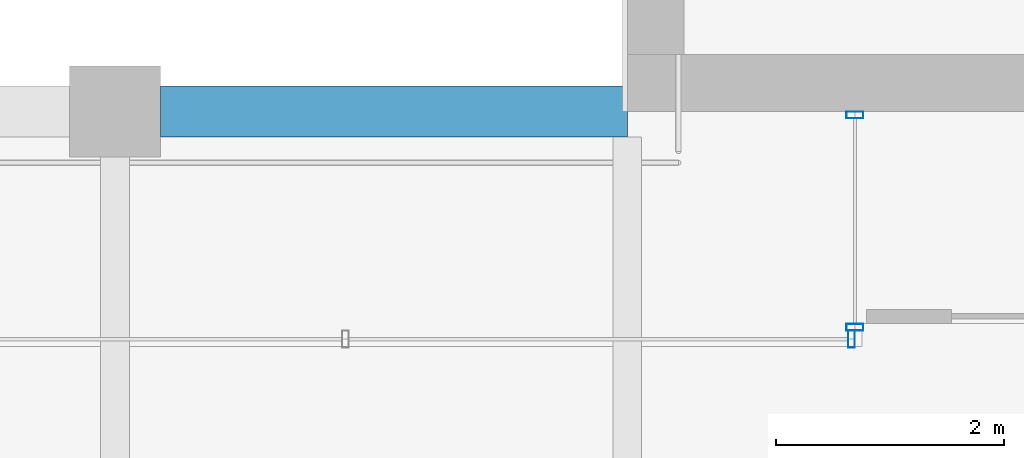
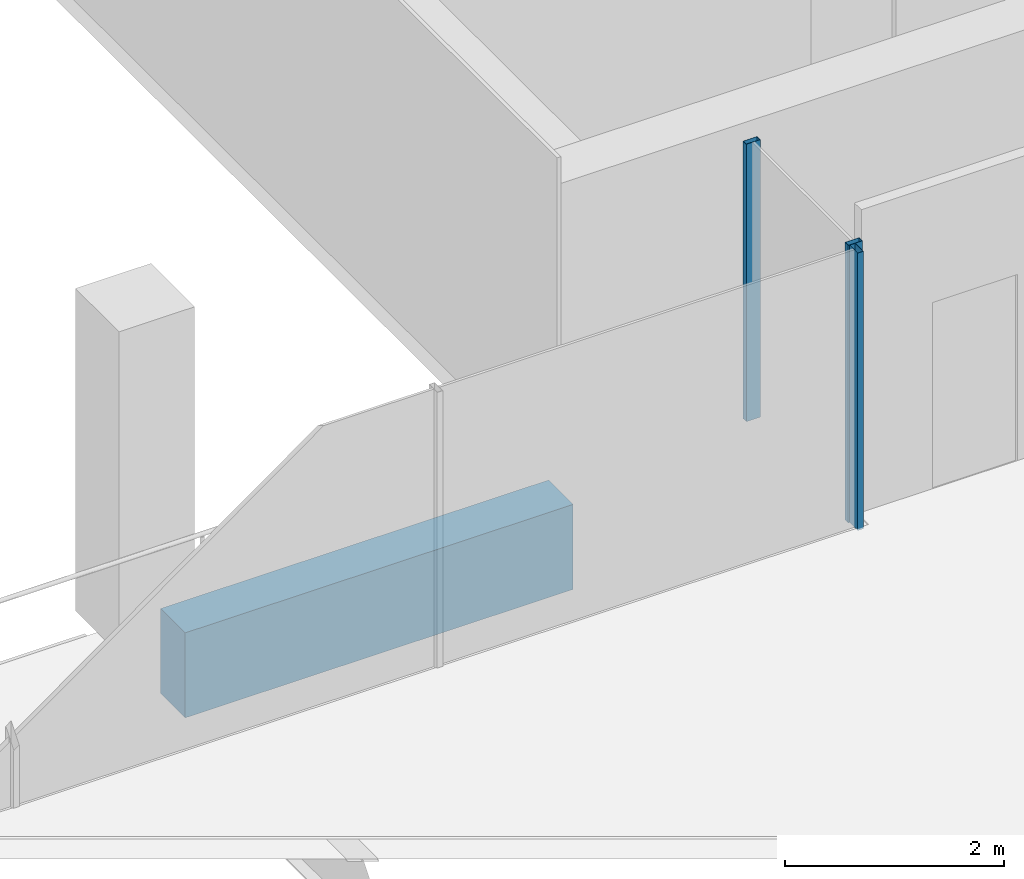
# One storey, part 6 of 30: 3 members, 1 beam, 2 elements without a shape of their own.
"""IFC4 building model written with IfcOpenShell, lengths in metres."""

import ifcopenshell
import ifcopenshell.guid

model = None  # the IFC model being written
_history = None  # IfcOwnerHistory: only IFC2X3 demands one
_inside = {}  # id of a spatial element -> (the spatial element, [elements in it])
_under = {}  # id of a project, library or spatial element -> (it, [spatial elements below it])
_declared = {}  # id of a project -> (the project, [libraries it declares])
_typed = {}  # id of a type object -> (the type object, [elements of that type])
_made_of = {}  # id of a material, layer set ... -> (it, [elements and type objects made of it])


def new_model(schema):
    """Start an empty IFC model of exactly this schema.

    Asked for "IFC4X3", IfcOpenShell would pick the latest addendum, in which some entities
    have other attributes; the version numbers below select the first issue.
    IFC2X3 requires an IfcOwnerHistory on every rooted entity: one is made here for all.
    """
    global model, _history
    if schema == "IFC4X3":
        model = ifcopenshell.file(schema_version=(4, 3, 0, 0))
    else:
        model = ifcopenshell.file(schema=schema)
    _inside.clear()
    _under.clear()
    _declared.clear()
    _typed.clear()
    _made_of.clear()
    _history = None
    if model.schema == "IFC2X3":
        org = make("IfcOrganization", Name="unknown")
        user = make(
            "IfcPersonAndOrganization",
            ThePerson=make("IfcPerson", FamilyName="unknown"),
            TheOrganization=org,
        )
        app = make(
            "IfcApplication",
            ApplicationDeveloper=org,
            Version="unknown",
            ApplicationFullName="unknown",
            ApplicationIdentifier="unknown",
        )
        _history = make(
            "IfcOwnerHistory",
            OwningUser=user,
            OwningApplication=app,
            ChangeAction="ADDED",
            CreationDate=0,
        )
    return model


def make(cls, **values):
    """One entity of the class cls with the attributes given. An attribute that is None is left unset."""
    return model.create_entity(
        cls, **{name: value for name, value in values.items() if value is not None}
    )


def rooted(cls, **values):
    """An entity with a GlobalId (a new one), such as an element, a storey or a relation."""
    return make(cls, GlobalId=ifcopenshell.guid.new(), OwnerHistory=_history, **values)


def si_unit(unit_type, name, prefix=None):
    """IfcSIUnit, for example si_unit("LENGTHUNIT", "METRE", prefix="MILLI")."""
    return make("IfcSIUnit", UnitType=unit_type, Prefix=prefix, Name=name)


def assignment(units):
    """IfcUnitAssignment: the units of a project."""
    return None if units is None else make("IfcUnitAssignment", Units=units)


def point(xyz):
    """IfcCartesianPoint."""
    return None if xyz is None else make("IfcCartesianPoint", Coordinates=xyz)


def direction(xyz):
    """IfcDirection."""
    return None if xyz is None else make("IfcDirection", DirectionRatios=xyz)


def frame(location, z_axis=None, x_axis=None):
    """IfcAxis2Placement3D, a coordinate frame: its origin and axes. An axis left out is left unset."""
    return make(
        "IfcAxis2Placement3D",
        Location=point(location),
        Axis=direction(z_axis),
        RefDirection=direction(x_axis),
    )


def frame_2d(location, x_axis=None):
    """IfcAxis2Placement2D, a coordinate frame in the plane: its origin and x axis."""
    return make(
        "IfcAxis2Placement2D", Location=point(location), RefDirection=direction(x_axis)
    )


def origin():
    """The frame at (0, 0, 0) with its axes left unset."""
    return frame((0.0, 0.0, 0.0))


def origin_2d():
    """The frame at (0, 0) in the plane with its x axis left unset."""
    return frame_2d((0.0, 0.0))


def place(relative_to, where):
    """IfcLocalPlacement: puts the frame where relative to a parent placement (None: the world)."""
    return make(
        "IfcLocalPlacement", PlacementRelTo=relative_to, RelativePlacement=where
    )


def context(
    kind, dimensions, precision=None, world=None, true_north=None, identifier=None
):
    """IfcGeometricRepresentationContext, for example the 3D "Model" context."""
    return make(
        "IfcGeometricRepresentationContext",
        ContextIdentifier=identifier,
        ContextType=kind,
        CoordinateSpaceDimension=dimensions,
        Precision=precision,
        WorldCoordinateSystem=world,
        TrueNorth=true_north,
    )


def subcontext(parent, identifier, kind, view, scale=None):
    """IfcGeometricRepresentationSubContext, for example "Body" below "Model"."""
    return make(
        "IfcGeometricRepresentationSubContext",
        ContextIdentifier=identifier,
        ContextType=kind,
        ParentContext=parent,
        TargetScale=scale,
        TargetView=view,
    )


def project(units=None, contexts=None):
    """IfcProject with its units and contexts."""
    return rooted(
        "IfcProject",
        Name="project",
        RepresentationContexts=contexts,
        UnitsInContext=assignment(units),
    )


def spatial(cls, under=None, at=None, **own):
    """A site, building, storey or space (cls), placed at a placement, below another one or the project."""
    s = rooted(cls, ObjectPlacement=at, **own)
    if under is not None:
        _under.setdefault(under.id(), (under, []))[1].append(s)
    return s


def profile(cls, at=None, kind="AREA", **sizes):
    """A parametric profile (cls). Its sizes go by their IFC names, for example OverallWidth=200.0."""
    return make(cls, ProfileType=kind, Position=at, **sizes)


def rectangle(**sizes):
    """IfcRectangleProfileDef."""
    return profile("IfcRectangleProfileDef", **sizes)


def hollow_rectangle(**sizes):
    """IfcRectangleHollowProfileDef."""
    return profile("IfcRectangleHollowProfileDef", **sizes)


def extrude(swept, where, along, depth):
    """IfcExtrudedAreaSolid: the profile swept, set in the frame where, extruded along a direction by depth."""
    return make(
        "IfcExtrudedAreaSolid",
        SweptArea=swept,
        Position=where,
        ExtrudedDirection=direction(along),
        Depth=depth,
    )


def shape(context_of_items, identifier, shape_type, items):
    """IfcShapeRepresentation: the items that make up one representation, for example the "Body"."""
    return make(
        "IfcShapeRepresentation",
        ContextOfItems=context_of_items,
        RepresentationIdentifier=identifier,
        RepresentationType=shape_type,
        Items=items,
    )


def material(Name=None, Category=None):
    """IfcMaterial."""
    return make("IfcMaterial", Name=Name, Category=Category)


def material_profile(
    of_material, cross_section, Name=None, Category=None, Priority=None
):
    """IfcMaterialProfile: a cross section and its material."""
    return make(
        "IfcMaterialProfile",
        Name=Name,
        Material=of_material,
        Profile=cross_section,
        Priority=Priority,
        Category=Category,
    )


def profile_set(profiles, Name=None, composite=None):
    """IfcMaterialProfileSet."""
    return make(
        "IfcMaterialProfileSet",
        Name=Name,
        MaterialProfiles=profiles,
        CompositeProfile=composite,
    )


def made_of(thing, what):
    """Note that an element or type object is made of a material, layer set ...; save() writes the relation."""
    if what is not None:
        _made_of.setdefault(what.id(), (what, []))[1].append(thing)
    return thing


def type_object(cls, material=None, **own):
    """A type object (cls), such as IfcWallType, which elements share."""
    return made_of(rooted(cls, **own), material)


def element(
    cls,
    number,
    at=None,
    inside=None,
    cuts=None,
    type_object=None,
    material=None,
    context=None,
    identifier="Body",
    shape_type=None,
    held_by="IfcProductDefinitionShape",
    body=None,
    shapes=None,
    **own,
):
    """One element of the class cls, such as IfcWall. Its Tag is "e" and its number.

    at: its placement. inside: the storey or other place that contains it. cuts: it is an
    opening in that element (IfcRelVoidsElement). A single representation is given by context,
    identifier, shape_type and body (its items); several are given by shapes. held_by: the class
    of the entity that holds the representations. save() writes the other relations.
    """
    e = rooted(cls, Tag="e%d" % number, ObjectPlacement=at, **own)
    if body is not None:
        shapes = [shape(context, identifier, shape_type, body)]
    if shapes is not None:
        e.Representation = make(held_by, Representations=shapes)
    if inside is not None:
        _inside.setdefault(inside.id(), (inside, []))[1].append(e)
    if cuts is not None:
        rooted(
            "IfcRelVoidsElement", RelatingBuildingElement=cuts, RelatedOpeningElement=e
        )
    if type_object is not None:
        _typed.setdefault(type_object.id(), (type_object, []))[1].append(e)
    return made_of(e, material)


def aggregate(whole, parts):
    """IfcRelAggregates: a whole, such as a stair, and the parts it consists of."""
    return rooted("IfcRelAggregates", RelatingObject=whole, RelatedObjects=parts)


def save(model, path):
    """Write the relations noted so far, then the file.

    IfcRelAggregates (storeys below a building ...), IfcRelContainedInSpatialStructure (elements
    in a storey), IfcRelDefinesByType, IfcRelAssociatesMaterial and IfcRelDeclares: one each for
    every whole, place, type object, material and project.
    """
    for whole, parts in _under.values():
        aggregate(whole, parts)
    for where, things in _inside.values():
        rooted(
            "IfcRelContainedInSpatialStructure",
            RelatedElements=things,
            RelatingStructure=where,
        )
    for kind, things in _typed.values():
        rooted("IfcRelDefinesByType", RelatedObjects=things, RelatingType=kind)
    for what, things in _made_of.values():
        rooted("IfcRelAssociatesMaterial", RelatedObjects=things, RelatingMaterial=what)
    for by, libraries in _declared.values():
        rooted("IfcRelDeclares", RelatingContext=by, RelatedDefinitions=libraries)
    model.write(path)


model = new_model("IFC4")

# Units and contexts
model_context = context("Model", 3, precision=1e-05, world=origin(), true_north=direction((0.0, 1.0)))
body_context = subcontext(model_context, "Body", "Model", "MODEL_VIEW")
ifc_project = project(units=[si_unit("LENGTHUNIT", "METRE"), si_unit("AREAUNIT", "SQUARE_METRE"), si_unit("VOLUMEUNIT", "CUBIC_METRE"), si_unit("PLANEANGLEUNIT", "RADIAN"), si_unit("MASSUNIT", "GRAM", prefix="KILO")], contexts=[model_context])

# Site, building, storey
site_placement = place(None, origin())
site = spatial("IfcSite", under=ifc_project, at=site_placement, CompositionType="ELEMENT")
building_placement = place(site_placement, origin())
building = spatial("IfcBuilding", under=site, at=building_placement, Name="Altepetl Exchange Towers", CompositionType="ELEMENT")
storey_placement = place(building_placement, frame((0.0, 0.0, 242.39990234375)))
storey = spatial("IfcBuildingStorey", under=building, at=storey_placement, Name="L62", CompositionType="ELEMENT", Elevation=242.39990234375)

# Curtain wall, members
ifc_material_1 = material(Name="Aluminium 6063-T6 glazing", Category="aluminium")
curtain_wall_type = type_object("IfcCurtainWallType", Name="Loggia glazing system", PredefinedType="NOTDEFINED", material=ifc_material_1)
curtain_wall_1_placement = place(storey_placement, origin())
curtain_wall_1 = element("IfcCurtainWall", 1, at=curtain_wall_1_placement, inside=storey, type_object=curtain_wall_type, Name="CW1 run", PredefinedType="NOTDEFINED")
ifc_material_2 = material(Name="Aluminium 6063-T6", Category="aluminium")
ifc_material_profile_1 = material_profile(ifc_material_2, hollow_rectangle(XDim=0.06005859375, YDim=0.14990234375, WallThickness=0.0029296875, at=origin_2d()), Name="Mullion 60x150 aluminium")
ifc_profile_set_1 = profile_set([ifc_material_profile_1], Name="Aluminium 6063-T6")
member_type = type_object("IfcMemberType", Name="Mullion 60x150 aluminium", PredefinedType="MULLION", material=ifc_profile_set_1)
member_1_placement = place(storey_placement, frame((42.5, 40.469970703125, 0.0), z_axis=(0.0, 0.0, 1.0), x_axis=(0.0, -1.0, 0.0)))
member_1 = element("IfcMember", 2, at=member_1_placement, type_object=member_type, Name="MU1 mullion", PredefinedType="MULLION", context=body_context, shape_type="SweptSolid", body=[
    extrude(hollow_rectangle(XDim=0.06005859375, YDim=0.14990234375, WallThickness=0.0029296875, at=origin_2d()), origin(), (0.0, 0.0, 1.0), 3.10009765625),
])
member_2_placement = place(storey_placement, frame((42.5, 38.60498046875, 0.0), z_axis=(0.0, 0.0, 1.0), x_axis=(0.0, -1.0, 0.0)))
member_2 = element("IfcMember", 3, at=member_2_placement, type_object=member_type, Name="MU1 mullion", PredefinedType="MULLION", context=body_context, shape_type="SweptSolid", body=[
    extrude(hollow_rectangle(XDim=0.06005859375, YDim=0.14990234375, WallThickness=0.0029296875, at=origin_2d()), origin(), (0.0, 0.0, 1.0), 3.10009765625),
])
aggregate(curtain_wall_1, [member_1, member_2])

# Curtain wall, member
curtain_wall_2_placement = place(storey_placement, origin())
curtain_wall_2 = element("IfcCurtainWall", 4, at=curtain_wall_2_placement, inside=storey, type_object=curtain_wall_type, Name="CW1 run", PredefinedType="NOTDEFINED")
member_3_placement = place(storey_placement, frame((42.469970703125, 38.5, 0.0), z_axis=(0.0, 0.0, 1.0), x_axis=(-1.0, 0.0, 0.0)))
member_3 = element("IfcMember", 5, at=member_3_placement, type_object=member_type, Name="MU1 mullion", PredefinedType="MULLION", context=body_context, shape_type="SweptSolid", body=[
    extrude(hollow_rectangle(XDim=0.06005859375, YDim=0.14990234375, WallThickness=0.0029296875, at=origin_2d()), origin(), (0.0, 0.0, 1.0), 3.10009765625),
])
aggregate(curtain_wall_2, [member_3])

# Beam
ifc_material_3 = material(Name="Concrete C50/60 precast with tezontle facing", Category="concrete")
ifc_material_profile_2 = material_profile(ifc_material_3, rectangle(XDim=0.449951171875, YDim=0.949951171875, at=origin_2d()), Name="450 x 950")
ifc_profile_set_2 = profile_set([ifc_material_profile_2], Name="Concrete C50/60 precast with tezontle facing")
beam_type = type_object("IfcBeamType", Name="Spandrel beam 450x950 tezontle", PredefinedType="SPANDREL", material=ifc_profile_set_2)
beam_placement = place(storey_placement, frame((40.5, 40.5, -0.625), z_axis=(-1.0, 0.0, 0.0), x_axis=(0.0, -1.0, 0.0)))
element("IfcBeam", 6, at=beam_placement, inside=storey, type_object=beam_type, Name="sp:A:L62:033", PredefinedType="SPANDREL", context=body_context, shape_type="SweptSolid", body=[
    extrude(rectangle(XDim=0.449951171875, YDim=0.949951171875, at=origin_2d()), origin(), (0.0, 0.0, 1.0), 4.10009765625),
])

save(model, "model.ifc")
